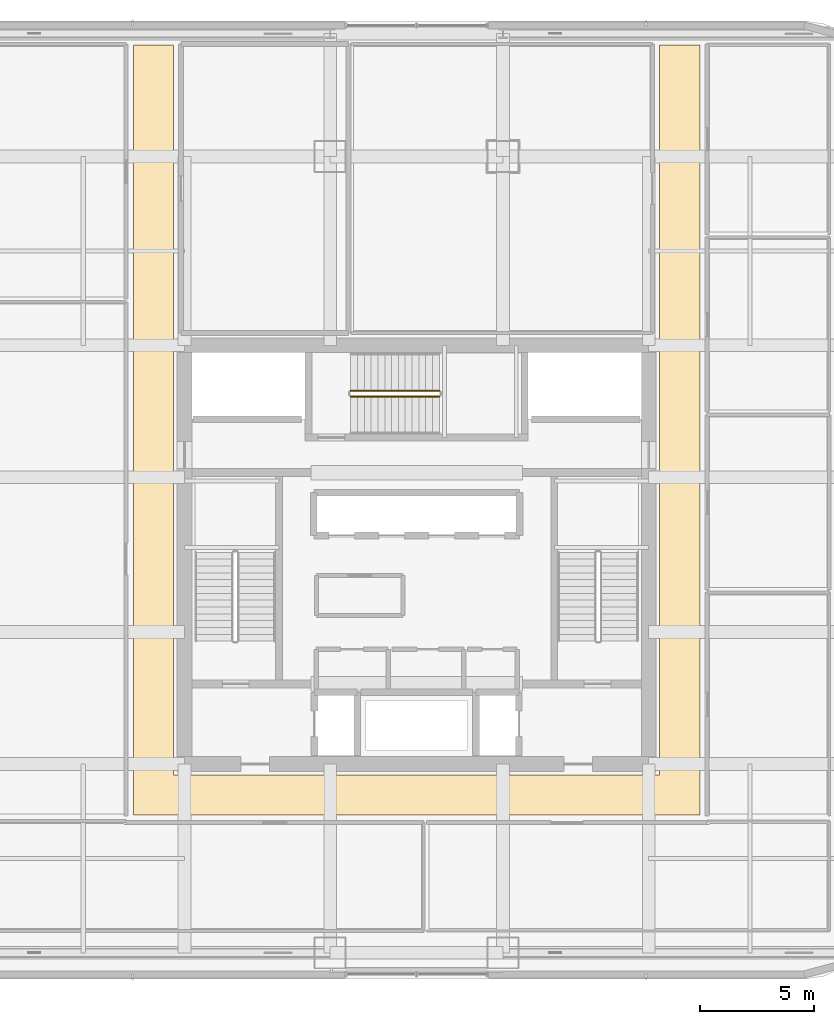
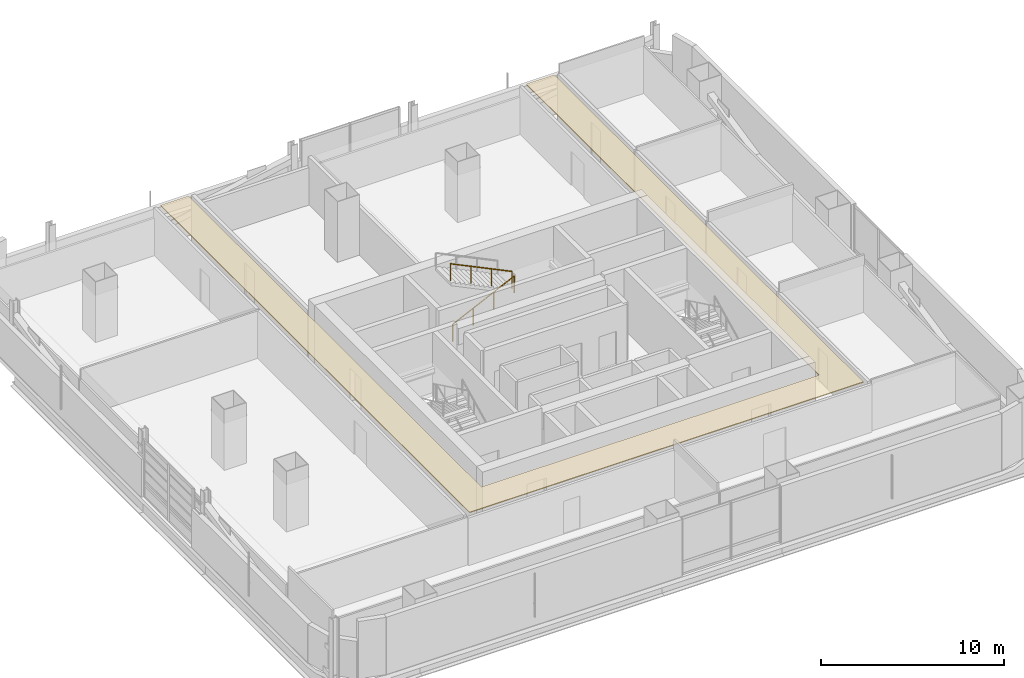
# One storey, part 25 of 32: 2 railings, 1 covering.
"""IFC4 building model written with IfcOpenShell, lengths in metres."""

from ifc_helpers import new_model, si_unit, direction, frame, origin, origin_2d, place, context, subcontext, project, spatial, polyline, circle, outline, extrude, material, layer, layer_set, type_object, element, save


model = new_model("IFC4")

# Units and contexts
model_context = context("Model", 3, precision=1e-05, world=origin(), true_north=direction((0.0, 1.0)))
body_context = subcontext(model_context, "Body", "Model", "MODEL_VIEW")
ifc_project = project(units=[si_unit("LENGTHUNIT", "METRE"), si_unit("AREAUNIT", "SQUARE_METRE"), si_unit("VOLUMEUNIT", "CUBIC_METRE"), si_unit("PLANEANGLEUNIT", "RADIAN"), si_unit("MASSUNIT", "GRAM", prefix="KILO")], contexts=[model_context])

# Site, building, storey
site_placement = place(None, origin())
site = spatial("IfcSite", under=ifc_project, at=site_placement, CompositionType="ELEMENT")
building_placement = place(site_placement, origin())
building = spatial("IfcBuilding", under=site, at=building_placement, Name="Punatoya Terracotta Tower", CompositionType="ELEMENT")
storey_placement = place(building_placement, frame((0.0, 0.0, 139.800048828125)))
storey = spatial("IfcBuildingStorey", under=building, at=storey_placement, Name="L32", CompositionType="ELEMENT", Elevation=139.800048828125)

# Covering
ifc_material_1 = material(Name="Acoustic Mineral Fibre Ceiling")
ifc_layer = layer(ifc_material_1, 0.06005859375)
ifc_layer_set = layer_set([ifc_layer], Name="Acoustic Mineral Fibre Ceiling")
covering_type = type_object("IfcCoveringType", Name="COV-CEIL-60", PredefinedType="CEILING", material=ifc_layer_set)
covering_placement = place(storey_placement, frame((0.0, 0.0, 3.159912109375)))
element("IfcCovering", 1, at=covering_placement, inside=storey, type_object=covering_type, Name="L32 Central Spine Circulation Corridor Acoustic Ceiling", PredefinedType="CEILING", context=body_context, shape_type="SweptSolid", body=[
    extrude(outline(polyline([(10.679931640625, -9.679931640625), (-10.679931640625, -9.679931640625), (-10.679931640625, 22.39990234375), (-12.449951171875, 22.39990234375), (-12.449951171875, -11.449951171875), (12.449951171875, -11.449951171875), (12.449951171875, 22.39990234375), (10.679931640625, 22.39990234375), (10.679931640625, -9.679931640625)])), origin(), (0.0, 0.0, 1.0), 0.06005859375),
])

# Railings
ifc_material_2 = material(Name="Steel S355", Category="steel")
railing_type = type_object("IfcRailingType", Name="RLG-GRD-1150", PredefinedType="GUARDRAIL", material=ifc_material_2)
railing_1_placement = place(storey_placement, frame((-2.89990234375, 6.949951171875, 0.14453125)))
element("IfcRailing", 2, at=railing_1_placement, inside=storey, type_object=railing_type, Name="L32 ST-3 stair guard 1", PredefinedType="GUARDRAIL", context=body_context, shape_type="SweptSolid", body=[
    extrude(circle(Radius=0.02392578125, at=origin_2d()), frame((0.0, 0.0, 1.1259765625), z_axis=(0.900763166376, 0.0, 0.434310623978), x_axis=(0.0, 1.0, 0.0)), (0.0, 0.0, 1.0), 4.32958984375),
    extrude(circle(Radius=0.02099609375, at=origin_2d()), origin(), (0.0, 0.0, 1.0), 1.101806640625),
    extrude(circle(Radius=0.02099609375, at=origin_2d()), frame((1.300048828125, 0.0, 0.626708984375)), (0.0, 0.0, 1.0), 1.101806640625),
    extrude(circle(Radius=0.02099609375, at=origin_2d()), frame((2.599853515625, 0.0, 1.253662109375)), (0.0, 0.0, 1.0), 1.101806640625),
    extrude(circle(Radius=0.02099609375, at=origin_2d()), frame((3.89990234375, 0.0, 1.88037109375)), (0.0, 0.0, 1.0), 1.101806640625),
])
railing_2_placement = place(storey_placement, frame((1.0, 7.199951171875, 2.169677734375)))
element("IfcRailing", 3, at=railing_2_placement, inside=storey, type_object=railing_type, Name="L32 ST-3 stair guard 3", PredefinedType="GUARDRAIL", context=body_context, shape_type="SweptSolid", body=[
    extrude(circle(Radius=0.02392578125, at=origin_2d()), frame((0.0, 0.0, 1.1259765625), z_axis=(-0.900763166376, 0.0, 0.434310623978), x_axis=(0.0, -1.0, 0.0)), (0.0, 0.0, 1.0), 4.32958984375),
    extrude(circle(Radius=0.02099609375, at=origin_2d()), origin(), (0.0, 0.0, 1.0), 1.101806640625),
    extrude(circle(Radius=0.02099609375, at=origin_2d()), frame((-1.300048828125, 0.0, 0.626708984375)), (0.0, 0.0, 1.0), 1.101806640625),
    extrude(circle(Radius=0.02099609375, at=origin_2d()), frame((-2.599853515625, 0.0, 1.253662109375)), (0.0, 0.0, 1.0), 1.101806640625),
    extrude(circle(Radius=0.02099609375, at=origin_2d()), frame((-3.89990234375, 0.0, 1.88037109375)), (0.0, 0.0, 1.0), 1.101806640625),
])

save(model, "model.ifc")
